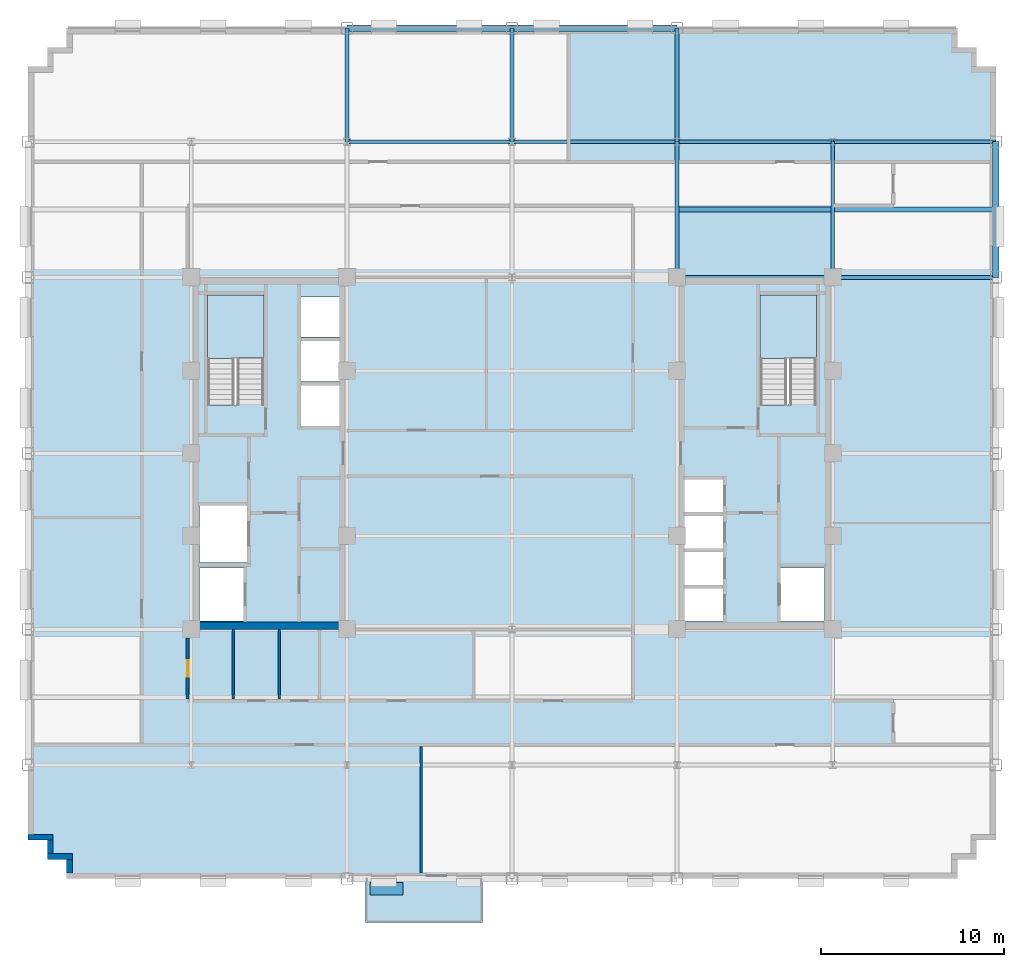
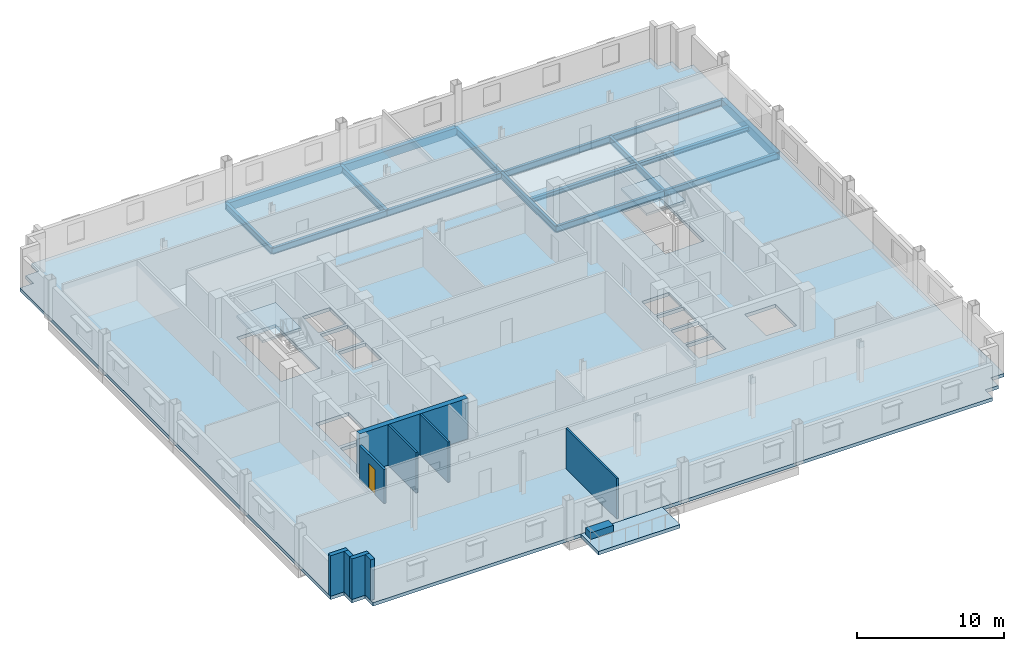
# One storey, part 5 of 14: 16 beams, 9 walls, 4 slabs, 1 door, 1 plate, 1 opening, 2 elements without a shape of their own.
"""IFC4 building model written with IfcOpenShell, lengths in metres."""

from ifc_helpers import new_model, si_unit, direction, frame, frame_2d, origin, origin_2d, place, context, subcontext, project, spatial, polyline, rectangle, i_section, outline, extrude, source, transform, mapped, material, layer, layer_set, material_profile, profile_set, type_object, type_shapes, element, fill, aggregate, save


model = new_model("IFC4")

# Units and contexts
model_context = context("Model", 3, precision=1e-05, world=origin(), true_north=direction((0.0, 1.0)))
body_context = subcontext(model_context, "Body", "Model", "MODEL_VIEW")
ifc_project = project(units=[si_unit("LENGTHUNIT", "METRE"), si_unit("AREAUNIT", "SQUARE_METRE"), si_unit("VOLUMEUNIT", "CUBIC_METRE"), si_unit("PLANEANGLEUNIT", "RADIAN"), si_unit("MASSUNIT", "GRAM", prefix="KILO")], contexts=[model_context])

# Site, building, storey
site_placement = place(None, origin())
site = spatial("IfcSite", under=ifc_project, at=site_placement, CompositionType="ELEMENT")
building_placement = place(site_placement, origin())
building = spatial("IfcBuilding", under=site, at=building_placement, Name="Nuvemarco Arch Tower", CompositionType="ELEMENT")
storey_placement = place(building_placement, frame((0.0, 0.0, 127.5)))
storey = spatial("IfcBuildingStorey", under=building, at=storey_placement, Name="L33", CompositionType="ELEMENT", Elevation=127.5)

# Beams
ifc_material_1 = material(Name="Steel S355", Category="steel")
ifc_material_profile_1 = material_profile(ifc_material_1, i_section(OverallWidth=0.2109375, OverallDepth=0.5390625, WebThickness=0.01171875, FlangeThickness=0.018798828125, FilletRadius=0.01611328125, at=origin_2d()), Name="W530x109")
ifc_profile_set_1 = profile_set([ifc_material_profile_1], Name="Steel S355")
beam_type_1 = type_object("IfcBeamType", Name="BM-GIRD-530", PredefinedType="BEAM", material=ifc_profile_set_1)
for number, where, z_axis, x_axis, name in (
    (1, (-9.0, 17.0, -0.549560546875), (0.0, 1.0, 0.0), (-1.0, 0.0, 0.0), "L33 structural beam BGNS_L33_0_-9.0_+17.0"),
    (2, (0.0, 17.0, -0.549560546875), (0.0, 1.0, 0.0), (-1.0, 0.0, 0.0), "L33 structural beam BGNS_L33_0_+0.0_+17.0"),
):
    element("IfcBeam", number, at=place(storey_placement, frame(where, z_axis=z_axis, x_axis=x_axis)), inside=storey, type_object=beam_type_1, Name=name, PredefinedType="BEAM", context=body_context, shape_type="SweptSolid", body=[
        extrude(i_section(OverallWidth=0.2109375, OverallDepth=0.5390625, WebThickness=0.01171875, FlangeThickness=0.018798828125, FilletRadius=0.01611328125, at=origin_2d()), origin(), (0.0, 0.0, 1.0), 6.199951171875),
    ])
beam_1_placement = place(storey_placement, frame((9.0, 9.60009765625, -0.549560546875), z_axis=(0.0, 1.0, 0.0), x_axis=(-1.0, 0.0, 0.0)))
element("IfcBeam", 3, at=beam_1_placement, inside=storey, type_object=beam_type_1, Name="L33 structural beam BGNS_L33_0_+9.0_+9.6", PredefinedType="BEAM", context=body_context, shape_type="SweptSolid", body=[
    extrude(i_section(OverallWidth=0.2109375, OverallDepth=0.5390625, WebThickness=0.01171875, FlangeThickness=0.018798828125, FilletRadius=0.01611328125, at=origin_2d()), origin(), (0.0, 0.0, 1.0), 7.39990234375),
])
beam_2_placement = place(storey_placement, frame((9.0, 17.0, -0.549560546875), z_axis=(0.0, 1.0, 0.0), x_axis=(-1.0, 0.0, 0.0)))
element("IfcBeam", 4, at=beam_2_placement, inside=storey, type_object=beam_type_1, Name="L33 structural beam BGNS_L33_0_+9.0_+17.0", PredefinedType="BEAM", context=body_context, shape_type="SweptSolid", body=[
    extrude(i_section(OverallWidth=0.2109375, OverallDepth=0.5390625, WebThickness=0.01171875, FlangeThickness=0.018798828125, FilletRadius=0.01611328125, at=origin_2d()), origin(), (0.0, 0.0, 1.0), 6.199951171875),
])
beam_3_placement = place(storey_placement, frame((17.5, 9.60009765625, -0.549560546875), z_axis=(0.0, 1.0, 0.0), x_axis=(-1.0, 0.0, 0.0)))
element("IfcBeam", 5, at=beam_3_placement, inside=storey, type_object=beam_type_1, Name="L33 structural beam BGNS_L33_0_+17.5_+9.6", PredefinedType="BEAM", context=body_context, shape_type="SweptSolid", body=[
    extrude(i_section(OverallWidth=0.2109375, OverallDepth=0.5390625, WebThickness=0.01171875, FlangeThickness=0.018798828125, FilletRadius=0.01611328125, at=origin_2d()), origin(), (0.0, 0.0, 1.0), 7.39990234375),
])
beam_4_placement = place(storey_placement, frame((9.0, 9.60009765625, -0.549560546875), z_axis=(1.0, 0.0, 0.0), x_axis=(0.0, 1.0, 0.0)))
element("IfcBeam", 6, at=beam_4_placement, inside=storey, type_object=beam_type_1, Name="L33 structural beam BGEW_L33_0_+9.6_+9.0", PredefinedType="BEAM", context=body_context, shape_type="SweptSolid", body=[
    extrude(i_section(OverallWidth=0.2109375, OverallDepth=0.5390625, WebThickness=0.01171875, FlangeThickness=0.018798828125, FilletRadius=0.01611328125, at=origin_2d()), origin(), (0.0, 0.0, 1.0), 8.5),
])
beam_5_placement = place(storey_placement, frame((17.5, 9.60009765625, -0.549560546875), z_axis=(1.0, 0.0, 0.0), x_axis=(0.0, 1.0, 0.0)))
element("IfcBeam", 7, at=beam_5_placement, inside=storey, type_object=beam_type_1, Name="L33 structural beam BGEW_L33_0_+9.6_+17.5", PredefinedType="BEAM", context=body_context, shape_type="SweptSolid", body=[
    extrude(i_section(OverallWidth=0.2109375, OverallDepth=0.5390625, WebThickness=0.01171875, FlangeThickness=0.018798828125, FilletRadius=0.01611328125, at=origin_2d()), origin(), (0.0, 0.0, 1.0), 8.89990234375),
])
for number, where, z_axis, x_axis, name in (
    (8, (-9.0, 17.0, -0.549560546875), (1.0, 0.0, 0.0), (0.0, 1.0, 0.0), "L33 structural beam BGEW_L33_0_+17.0_-9.0"),
    (9, (0.0, 17.0, -0.549560546875), (1.0, 0.0, 0.0), (0.0, 1.0, 0.0), "L33 structural beam BGEW_L33_0_+17.0_+0.0"),
):
    element("IfcBeam", number, at=place(storey_placement, frame(where, z_axis=z_axis, x_axis=x_axis)), inside=storey, type_object=beam_type_1, Name=name, PredefinedType="BEAM", context=body_context, shape_type="SweptSolid", body=[
        extrude(i_section(OverallWidth=0.2109375, OverallDepth=0.5390625, WebThickness=0.01171875, FlangeThickness=0.018798828125, FilletRadius=0.01611328125, at=origin_2d()), origin(), (0.0, 0.0, 1.0), 9.0),
    ])
beam_6_placement = place(storey_placement, frame((9.0, 17.0, -0.549560546875), z_axis=(1.0, 0.0, 0.0), x_axis=(0.0, 1.0, 0.0)))
element("IfcBeam", 10, at=beam_6_placement, inside=storey, type_object=beam_type_1, Name="L33 structural beam BGEW_L33_0_+17.0_+9.0", PredefinedType="BEAM", context=body_context, shape_type="SweptSolid", body=[
    extrude(i_section(OverallWidth=0.2109375, OverallDepth=0.5390625, WebThickness=0.01171875, FlangeThickness=0.018798828125, FilletRadius=0.01611328125, at=origin_2d()), origin(), (0.0, 0.0, 1.0), 8.5),
])
beam_7_placement = place(storey_placement, frame((17.5, 17.0, -0.549560546875), z_axis=(1.0, 0.0, 0.0), x_axis=(0.0, 1.0, 0.0)))
element("IfcBeam", 11, at=beam_7_placement, inside=storey, type_object=beam_type_1, Name="L33 structural beam BGEW_L33_0_+17.0_+17.5", PredefinedType="BEAM", context=body_context, shape_type="SweptSolid", body=[
    extrude(i_section(OverallWidth=0.2109375, OverallDepth=0.5390625, WebThickness=0.01171875, FlangeThickness=0.018798828125, FilletRadius=0.01611328125, at=origin_2d()), origin(), (0.0, 0.0, 1.0), 8.89990234375),
])
ifc_material_profile_2 = material_profile(ifc_material_1, i_section(OverallWidth=0.2548828125, OverallDepth=0.35693359375, WebThickness=0.010498046875, FlangeThickness=0.018310546875, FilletRadius=0.014892578125, at=origin_2d()), Name="W360x101")
ifc_profile_set_2 = profile_set([ifc_material_profile_2], Name="Steel S355")
beam_type_2 = type_object("IfcBeamType", Name="BM-JOIST-360H", PredefinedType="JOIST", material=ifc_profile_set_2)
beam_8_placement = place(storey_placement, frame((9.10546875, 13.300048828125, -0.45849609375), z_axis=(1.0, 0.0, 0.0), x_axis=(0.0, 1.0, 0.0)))
element("IfcBeam", 12, at=beam_8_placement, inside=storey, type_object=beam_type_2, Name="L33 structural beam BJ_L33_0_+13.3_+9.0", PredefinedType="JOIST", context=body_context, shape_type="SweptSolid", body=[
    extrude(i_section(OverallWidth=0.2548828125, OverallDepth=0.35693359375, WebThickness=0.010498046875, FlangeThickness=0.018310546875, FilletRadius=0.014892578125, at=origin_2d()), origin(), (0.0, 0.0, 1.0), 8.2890625),
])
beam_9_placement = place(storey_placement, frame((17.60546875, 13.300048828125, -0.45849609375), z_axis=(1.0, 0.0, 0.0), x_axis=(0.0, 1.0, 0.0)))
element("IfcBeam", 13, at=beam_9_placement, inside=storey, type_object=beam_type_2, Name="L33 structural beam BJ_L33_0_+13.3_+17.5", PredefinedType="JOIST", context=body_context, shape_type="SweptSolid", body=[
    extrude(i_section(OverallWidth=0.2548828125, OverallDepth=0.35693359375, WebThickness=0.010498046875, FlangeThickness=0.018310546875, FilletRadius=0.014892578125, at=origin_2d()), origin(), (0.0, 0.0, 1.0), 8.61962890625),
])
ifc_material_2 = material(Name="Precast concrete C45/55", Category="concrete")
ifc_material_profile_3 = material_profile(ifc_material_2, rectangle(XDim=0.35009765625, YDim=0.64990234375, at=origin_2d()), Name="PC-SP-350x650")
ifc_profile_set_3 = profile_set([ifc_material_profile_3], Name="Precast concrete C45/55")
beam_type_3 = type_object("IfcBeamType", Name="BM-SPAN-RC", PredefinedType="SPANDREL", material=ifc_profile_set_3)
beam_10_placement = place(storey_placement, frame((26.39990234375, 9.60009765625, -0.60498046875), z_axis=(0.0, 1.0, 0.0), x_axis=(-1.0, 0.0, 0.0)))
element("IfcBeam", 14, at=beam_10_placement, inside=storey, type_object=beam_type_3, Name="L33 structural beam BGNS_L33_0_+26.4_+9.6", PredefinedType="SPANDREL", context=body_context, shape_type="SweptSolid", body=[
    extrude(rectangle(XDim=0.35009765625, YDim=0.64990234375, at=origin_2d()), origin(), (0.0, 0.0, 1.0), 7.39990234375),
])
for number, where, z_axis, x_axis, name in (
    (15, (-9.0, 23.199951171875, -0.60498046875), (1.0, 0.0, 0.0), (0.0, 1.0, 0.0), "L33 structural beam BGEW_L33_0_+23.2_-9.0"),
    (16, (0.0, 23.199951171875, -0.60498046875), (1.0, 0.0, 0.0), (0.0, 1.0, 0.0), "L33 structural beam BGEW_L33_0_+23.2_+0.0"),
):
    element("IfcBeam", number, at=place(storey_placement, frame(where, z_axis=z_axis, x_axis=x_axis)), inside=storey, type_object=beam_type_3, Name=name, PredefinedType="SPANDREL", context=body_context, shape_type="SweptSolid", body=[
        extrude(rectangle(XDim=0.35009765625, YDim=0.64990234375, at=origin_2d()), origin(), (0.0, 0.0, 1.0), 9.0),
    ])

# Slab
ifc_material_3 = material(Name="Concrete C50/60", Category="concrete")
ifc_layer_1 = layer(ifc_material_3, 0.280029296875, Name="SL-FLR-280")
ifc_layer_set_1 = layer_set([ifc_layer_1], Name="Concrete C50/60")
slab_type_1 = type_object("IfcSlabType", Name="SL-FLR-280", PredefinedType="FLOOR", material=ifc_layer_set_1)
slab_1_placement = place(storey_placement, frame((0.0, 0.0, -0.280029296875)))
element("IfcSlab", 17, at=slab_1_placement, inside=storey, type_object=slab_type_1, Name="L33 structural floor slab", PredefinedType="FLOOR", context=body_context, shape_type="SweptSolid", body=[
    extrude(outline(polyline([(-24.300048828125, -23.199951171875), (24.300048828125, -23.199951171875), (24.300048828125, -22.14990234375), (25.35009765625, -22.14990234375), (25.35009765625, -21.10009765625), (26.39990234375, -21.10009765625), (26.39990234375, 21.10009765625), (25.35009765625, 21.10009765625), (25.35009765625, 22.14990234375), (24.300048828125, 22.14990234375), (24.300048828125, 23.199951171875), (-24.300048828125, 23.199951171875), (-24.300048828125, 22.14990234375), (-25.35009765625, 22.14990234375), (-25.35009765625, 21.10009765625), (-26.39990234375, 21.10009765625), (-26.39990234375, -21.10009765625), (-25.35009765625, -21.10009765625), (-25.35009765625, -22.14990234375), (-24.300048828125, -22.14990234375), (-24.300048828125, -23.199951171875)]), holes=[polyline([(-13.5400390625, 2.669921875), (-13.5400390625, 8.64990234375), (-16.60009765625, 8.64990234375), (-16.60009765625, 2.630615234375), (-15.070068359375, 2.630615234375), (-15.070068359375, 2.669921875), (-13.5400390625, 2.669921875)]), polyline([(16.60009765625, 2.669921875), (16.60009765625, 8.64990234375), (13.5400390625, 8.64990234375), (13.5400390625, 2.630615234375), (15.070068359375, 2.630615234375), (15.070068359375, 2.669921875), (16.60009765625, 2.669921875)]), polyline([(-17.050048828125, -9.14990234375), (-14.64990234375, -9.14990234375), (-14.64990234375, -6.25), (-17.050048828125, -6.25), (-17.050048828125, -9.14990234375)]), polyline([(-17.050048828125, -5.949951171875), (-14.449951171875, -5.949951171875), (-14.449951171875, -2.85009765625), (-17.050048828125, -2.85009765625), (-17.050048828125, -5.949951171875)]), polyline([(-11.5, 1.5), (-9.35009765625, 1.5), (-9.35009765625, 3.699951171875), (-11.5, 3.699951171875), (-11.5, 1.5)]), polyline([(-11.5, 3.919921875), (-9.35009765625, 3.919921875), (-9.35009765625, 6.1201171875), (-11.5, 6.1201171875), (-11.5, 3.919921875)]), polyline([(-11.5, 6.340087890625), (-9.35009765625, 6.340087890625), (-9.35009765625, 8.5400390625), (-11.5, 8.5400390625), (-11.5, 6.340087890625)]), polyline([(14.64990234375, -9.14990234375), (17.050048828125, -9.14990234375), (17.050048828125, -6.25), (14.64990234375, -6.25), (14.64990234375, -9.14990234375)]), polyline([(9.35009765625, -9.14990234375), (11.5, -9.14990234375), (11.5, -7.3701171875), (9.35009765625, -7.3701171875), (9.35009765625, -9.14990234375)]), polyline([(9.35009765625, -7.169921875), (11.5, -7.169921875), (11.5, -5.389892578125), (9.35009765625, -5.389892578125), (9.35009765625, -7.169921875)]), polyline([(9.35009765625, -5.18994140625), (11.5, -5.18994140625), (11.5, -3.409912109375), (9.35009765625, -3.409912109375), (9.35009765625, -5.18994140625)]), polyline([(9.35009765625, -3.2099609375), (11.5, -3.2099609375), (11.5, -1.429931640625), (9.35009765625, -1.429931640625), (9.35009765625, -3.2099609375)])]), origin(), (0.0, 0.0, 1.0), 0.280029296875),
])

# Stair, slab
stair_type = type_object("IfcStairType", Name="ST-CORE-20R", PredefinedType="HALF_TURN_STAIR", material=ifc_material_2)
stair_1_placement = place(storey_placement, origin())
stair_1 = element("IfcStair", 18, at=stair_1_placement, inside=storey, type_object=stair_type, Name="L33 Protected Exit Stair ST-1", PredefinedType="HALF_TURN_STAIR")
ifc_layer_2 = layer(ifc_material_2, 0.199951171875, Name="SL-LANDING-200")
ifc_layer_set_2 = layer_set([ifc_layer_2], Name="Precast concrete C45/55")
slab_type_2 = type_object("IfcSlabType", Name="SL-LANDING-200", PredefinedType="LANDING", material=ifc_layer_set_2)
slab_2_placement = place(storey_placement, frame((0.0, 0.0, 1.625)))
slab_2 = element("IfcSlab", 19, at=slab_2_placement, type_object=slab_type_2, Name="ST-20R landing 1", PredefinedType="LANDING", context=body_context, shape_type="SweptSolid", body=[
    extrude(outline(polyline([(-13.5400390625, 5.189453125), (-13.5400390625, 8.64990234375), (-16.60009765625, 8.64990234375), (-16.60009765625, 5.169921875), (-15.070068359375, 5.169921875), (-15.070068359375, 5.189453125), (-13.5400390625, 5.189453125)])), origin(), (0.0, 0.0, 1.0), 0.199951171875),
])
aggregate(stair_1, [slab_2])

stair_2_placement = place(storey_placement, origin())
stair_2 = element("IfcStair", 20, at=stair_2_placement, inside=storey, type_object=stair_type, Name="L33 Protected Exit Stair ST-2", PredefinedType="HALF_TURN_STAIR")
slab_3_placement = place(storey_placement, frame((0.0, 0.0, 1.625)))
slab_3 = element("IfcSlab", 21, at=slab_3_placement, type_object=slab_type_2, Name="ST-20R landing 1", PredefinedType="LANDING", context=body_context, shape_type="SweptSolid", body=[
    extrude(outline(polyline([(16.60009765625, 5.189453125), (16.60009765625, 8.64990234375), (13.5400390625, 8.64990234375), (13.5400390625, 5.169921875), (15.070068359375, 5.169921875), (15.070068359375, 5.189453125), (16.60009765625, 5.189453125)])), origin(), (0.0, 0.0, 1.0), 0.199951171875),
])
aggregate(stair_2, [slab_3])

# Slab
ifc_layer_3 = layer(ifc_material_3, 0.294921875, Name="SL-TR4")
ifc_layer_set_3 = layer_set([ifc_layer_3], Name="Concrete C50/60")
slab_type_3 = type_object("IfcSlabType", Name="SL-TR4", PredefinedType="FLOOR", material=ifc_layer_set_3)
slab_4_placement = place(storey_placement, frame((0.0, 0.0, -0.294921875)))
element("IfcSlab", 22, at=slab_4_placement, inside=storey, type_object=slab_type_3, Name="L33 outdoor spiral terrace slab 1", PredefinedType="FLOOR", context=body_context, shape_type="SweptSolid", body=[
    extrude(outline(polyline([(-8.0, -25.60009765625), (-1.60009765625, -25.60009765625), (-1.60009765625, -23.199951171875), (-8.0, -23.199951171875), (-8.0, -25.60009765625)])), origin(), (0.0, 0.0, 1.0), 0.294921875),
])

# Plate
ifc_layer_4 = layer(ifc_material_2, 0.550048828125, Name="Tree Balcony Structural Planter")
ifc_layer_set_4 = layer_set([ifc_layer_4], Name="Precast concrete C45/55")
plate_type = type_object("IfcPlateType", Name="Tree Balcony Structural Planter", PredefinedType="USERDEFINED", material=ifc_layer_set_4)
shared_shape_1 = source(origin(), body_context, "Body", "SweptSolid", [
    extrude(rectangle(XDim=1.800048828125, YDim=0.699951171875, at=origin_2d()), origin(), (0.0, 0.0, 1.0), 0.550048828125),
])
type_shapes(plate_type, [shared_shape_1])
plate_placement = place(storey_placement, frame((-6.85009765625, -23.75, 0.0), z_axis=(0.0, 0.0, 1.0), x_axis=(1.0, 0.0, 0.0)))
element("IfcPlate", 23, at=plate_placement, inside=storey, type_object=plate_type, Name="L33 Tree Balcony Structural Planter", ObjectType="PLANTER", PredefinedType="USERDEFINED", context=body_context, shape_type="MappedRepresentation", body=[
    mapped(shared_shape_1, transform((0.0, 0.0, 0.0), scale=1.0)),
])

# Walls
ifc_layer_5 = layer(ifc_material_2, 0.320068359375, Name="EW-MID-320")
ifc_layer_set_5 = layer_set([ifc_layer_5], Name="Precast concrete C45/55")
wall_type_1 = type_object("IfcWallType", Name="EW-MID-320", PredefinedType="STANDARD", material=ifc_layer_set_5)
wall_1_placement = place(storey_placement, frame((-26.39990234375, -20.93994140625, 0.0), z_axis=(0.0, 0.0, 1.0), x_axis=(1.0, 0.0, 0.0)))
element("IfcWall", 24, at=wall_1_placement, inside=storey, type_object=wall_type_1, Name="L33 exterior precast facade wall 17", PredefinedType="STANDARD", context=body_context, shape_type="SweptSolid", body=[
    extrude(rectangle(XDim=1.369873046875, YDim=0.320068359375, at=frame_2d((0.68505859375, 0.0))), origin(), (0.0, 0.0, 1.0), 3.360107421875),
])
wall_2_placement = place(storey_placement, frame((-25.18994140625, -21.833984375, 0.0), z_axis=(0.0, 0.0, 1.0), x_axis=(0.0, 1.0, 0.0)))
element("IfcWall", 25, at=wall_2_placement, inside=storey, type_object=wall_type_1, Name="L33 exterior precast facade wall 18", PredefinedType="STANDARD", context=body_context, shape_type="SweptSolid", body=[
    extrude(rectangle(XDim=0.738037109375, YDim=0.320068359375, at=frame_2d((0.369140625, 0.0))), origin(), (0.0, 0.0, 1.0), 3.360107421875),
])
wall_3_placement = place(storey_placement, frame((-25.35009765625, -21.989990234375, 0.0), z_axis=(0.0, 0.0, 1.0), x_axis=(1.0, 0.0, 0.0)))
element("IfcWall", 26, at=wall_3_placement, inside=storey, type_object=wall_type_1, Name="L33 exterior precast facade wall 19", PredefinedType="STANDARD", context=body_context, shape_type="SweptSolid", body=[
    extrude(rectangle(XDim=1.3701171875, YDim=0.320068359375, at=frame_2d((0.68505859375, 0.0))), origin(), (0.0, 0.0, 1.0), 3.360107421875),
])
wall_4_placement = place(storey_placement, frame((-24.139892578125, -22.884033203125, 0.0), z_axis=(0.0, 0.0, 1.0), x_axis=(0.0, 1.0, 0.0)))
element("IfcWall", 27, at=wall_4_placement, inside=storey, type_object=wall_type_1, Name="L33 exterior precast facade wall 20", PredefinedType="STANDARD", context=body_context, shape_type="SweptSolid", body=[
    extrude(rectangle(XDim=0.738037109375, YDim=0.320068359375, at=frame_2d((0.369140625, 0.0))), origin(), (0.0, 0.0, 1.0), 3.360107421875),
])
ifc_material_4 = material(Name="Concrete C60/75", Category="concrete")
ifc_layer_6 = layer(ifc_material_4, 0.39990234375, Name="WL-CORE-400")
ifc_layer_set_6 = layer_set([ifc_layer_6], Name="Concrete C60/75")
wall_type_2 = type_object("IfcWallType", Name="WL-CORE-400", PredefinedType="SHEAR", material=ifc_layer_set_6)
wall_5_placement = place(storey_placement, frame((-17.5, -9.39990234375, 0.0), z_axis=(0.0, 0.0, 1.0), x_axis=(1.0, 0.0, 0.0)))
element("IfcWall", 28, at=wall_5_placement, inside=storey, type_object=wall_type_2, Name="L33 W-core shear wall S", PredefinedType="SHEAR", context=body_context, shape_type="SweptSolid", body=[
    extrude(rectangle(XDim=8.5, YDim=0.39990234375, at=frame_2d((4.25, 0.0))), origin(), (0.0, 0.0, 1.0), 3.3701171875),
])

# Wall, opening, door
ifc_material_5 = material(Name="Fire-rated gypsum drywall partition")
ifc_layer_7 = layer(ifc_material_5, 0.179931640625, Name="WL-CORR-180")
ifc_layer_set_7 = layer_set([ifc_layer_7], Name="Fire-rated gypsum drywall partition")
wall_type_3 = type_object("IfcWallType", Name="WL-CORR-180", PredefinedType="PARTITIONING", material=ifc_layer_set_7)
wall_6_placement = place(storey_placement, frame((-17.699951171875, -13.4140625, 0.0), z_axis=(0.0, 0.0, 1.0), x_axis=(0.0, 1.0, 0.0)))
wall_6 = element("IfcWall", 29, at=wall_6_placement, inside=storey, type_object=wall_type_3, Name="L33 interior wall IW-L33-016", PredefinedType="PARTITIONING", context=body_context, shape_type="SweptSolid", body=[
    extrude(rectangle(XDim=3.343017578125, YDim=0.179931640625, at=frame_2d((1.67138671875, 0.0))), origin(), (0.0, 0.0, 1.0), 2.81591796875),
])
opening_placement = place(wall_6_placement, frame((1.221435546875, 0.0, 0.0)))
opening = element("IfcOpeningElement", 30, at=opening_placement, cuts=wall_6, Name="Opening ID-3", PredefinedType="OPENING", context=body_context, shape_type="SweptSolid", body=[
    extrude(rectangle(XDim=0.89990234375, YDim=2.10009765625, at=frame_2d((0.449951171875, 1.050048828125))), frame((0.0, 0.099853515625, 0.0), z_axis=(0.0, -1.0, 0.0), x_axis=(1.0, 0.0, 0.0)), (0.0, 0.0, 1.0), 0.199951171875),
])
ifc_material_6 = material(Name="Veneered oak timber fire door", Category="wood")
door_type = type_object("IfcDoorType", Name="DR-WC-ACC", OperationType="NOTDEFINED", PredefinedType="DOOR", material=ifc_material_6)
shared_shape_2 = source(origin(), body_context, "Body", "SweptSolid", [
    extrude(rectangle(XDim=0.89990234375, YDim=2.10009765625, at=frame_2d((0.449951171875, 1.050048828125))), frame((0.0, 0.02490234375, 0.0), z_axis=(0.0, -1.0, 0.0), x_axis=(1.0, 0.0, 0.0)), (0.0, 0.0, 1.0), 0.050048828125),
])
type_shapes(door_type, [shared_shape_2])
door_placement = place(opening_placement, origin())
door = element("IfcDoor", 31, at=door_placement, inside=storey, type_object=door_type, Name="L33 door DR-L33-WC_M", OperationType="SINGLE_SWING_RIGHT", OverallHeight=2.10009765625, OverallWidth=0.89990234375, PredefinedType="DOOR", context=body_context, shape_type="MappedRepresentation", body=[
    mapped(shared_shape_2, transform((0.0, 0.0, 0.0), scale=1.0)),
])
fill(opening, door)

# Walls
ifc_material_7 = material(Name="Gypsum plasterboard partition")
ifc_layer_8 = layer(ifc_material_7, 0.139892578125, Name="WL-ROOM-140")
ifc_layer_set_8 = layer_set([ifc_layer_8], Name="Gypsum plasterboard partition")
wall_type_4 = type_object("IfcWallType", Name="WL-ROOM-140", PredefinedType="PARTITIONING", material=ifc_layer_set_8)
wall_7_placement = place(storey_placement, frame((-4.93994140625, -22.8798828125, 0.0), z_axis=(0.0, 0.0, 1.0), x_axis=(0.0, 1.0, 0.0)))
element("IfcWall", 32, at=wall_7_placement, inside=storey, type_object=wall_type_4, Name="L33 interior wall IW-L33-021", PredefinedType="PARTITIONING", context=body_context, shape_type="SweptSolid", body=[
    extrude(rectangle(XDim=6.893798828125, YDim=0.139892578125, at=frame_2d((3.44677734375, 0.0))), origin(), (0.0, 0.0, 1.0), 3.360107421875),
])
ifc_material_8 = material(Name="Moisture-resistant gypsum partition")
ifc_layer_9 = layer(ifc_material_8, 0.14990234375, Name="WL-WET-150")
ifc_layer_set_9 = layer_set([ifc_layer_9], Name="Moisture-resistant gypsum partition")
wall_type_5 = type_object("IfcWallType", Name="WL-WET-150", PredefinedType="PARTITIONING", material=ifc_layer_set_9)
for number, where, z_axis, x_axis, name in (
    (33, (-15.199951171875, -13.4140625, 0.0), (0.0, 0.0, 1.0), (0.0, 1.0, 0.0), "L33 interior wall IW-L33-018"),
    (34, (-12.699951171875, -13.4140625, 0.0), (0.0, 0.0, 1.0), (0.0, 1.0, 0.0), "L33 interior wall IW-L33-019"),
):
    element("IfcWall", number, at=place(storey_placement, frame(where, z_axis=z_axis, x_axis=x_axis)), inside=storey, type_object=wall_type_5, Name=name, PredefinedType="PARTITIONING", context=body_context, shape_type="SweptSolid", body=[
        extrude(rectangle(XDim=3.81396484375, YDim=0.14990234375, at=frame_2d((1.906982421875, 0.0))), origin(), (0.0, 0.0, 1.0), 3.360107421875),
    ])

save(model, "model.ifc")
